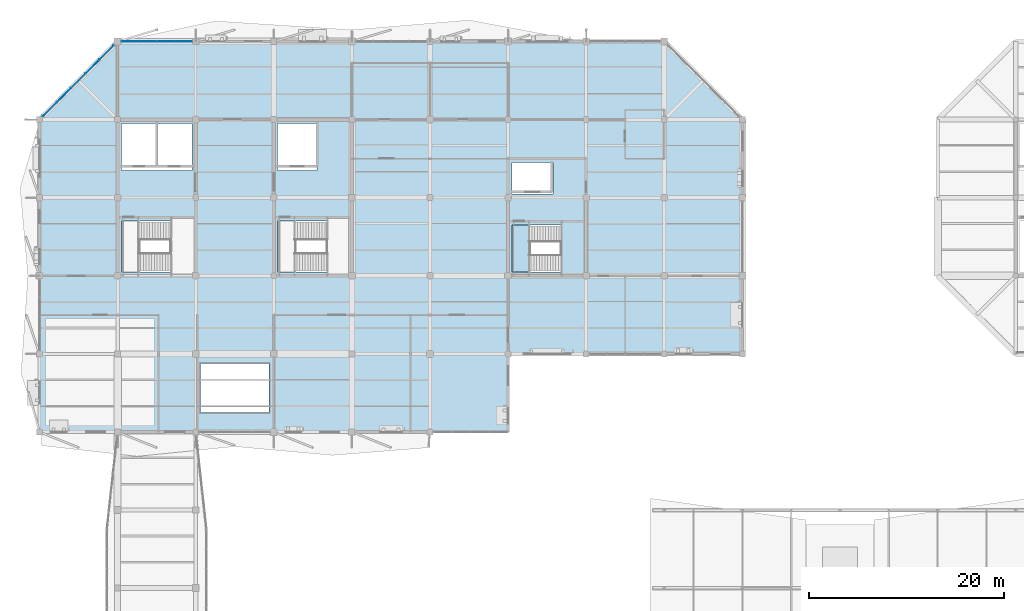
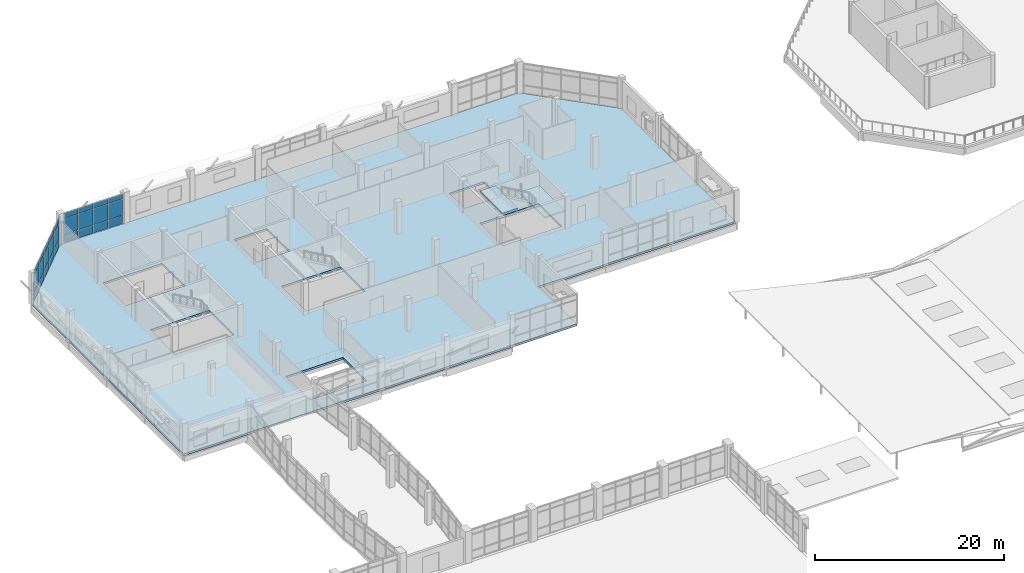
# One storey, part 62 of 84: 27 plates, 3 slabs, 3 elements without a shape of their own.
"""IFC4 building model written with IfcOpenShell, lengths in metres."""

import ifcopenshell
import ifcopenshell.guid

model = None  # the IFC model being written
_history = None  # IfcOwnerHistory: only IFC2X3 demands one
_inside = {}  # id of a spatial element -> (the spatial element, [elements in it])
_under = {}  # id of a project, library or spatial element -> (it, [spatial elements below it])
_declared = {}  # id of a project -> (the project, [libraries it declares])
_typed = {}  # id of a type object -> (the type object, [elements of that type])
_made_of = {}  # id of a material, layer set ... -> (it, [elements and type objects made of it])


def new_model(schema):
    """Start an empty IFC model of exactly this schema.

    Asked for "IFC4X3", IfcOpenShell would pick the latest addendum, in which some entities
    have other attributes; the version numbers below select the first issue.
    IFC2X3 requires an IfcOwnerHistory on every rooted entity: one is made here for all.
    """
    global model, _history
    if schema == "IFC4X3":
        model = ifcopenshell.file(schema_version=(4, 3, 0, 0))
    else:
        model = ifcopenshell.file(schema=schema)
    _inside.clear()
    _under.clear()
    _declared.clear()
    _typed.clear()
    _made_of.clear()
    _history = None
    if model.schema == "IFC2X3":
        org = make("IfcOrganization", Name="unknown")
        user = make(
            "IfcPersonAndOrganization",
            ThePerson=make("IfcPerson", FamilyName="unknown"),
            TheOrganization=org,
        )
        app = make(
            "IfcApplication",
            ApplicationDeveloper=org,
            Version="unknown",
            ApplicationFullName="unknown",
            ApplicationIdentifier="unknown",
        )
        _history = make(
            "IfcOwnerHistory",
            OwningUser=user,
            OwningApplication=app,
            ChangeAction="ADDED",
            CreationDate=0,
        )
    return model


def make(cls, **values):
    """One entity of the class cls with the attributes given. An attribute that is None is left unset."""
    return model.create_entity(
        cls, **{name: value for name, value in values.items() if value is not None}
    )


def rooted(cls, **values):
    """An entity with a GlobalId (a new one), such as an element, a storey or a relation."""
    return make(cls, GlobalId=ifcopenshell.guid.new(), OwnerHistory=_history, **values)


def si_unit(unit_type, name, prefix=None):
    """IfcSIUnit, for example si_unit("LENGTHUNIT", "METRE", prefix="MILLI")."""
    return make("IfcSIUnit", UnitType=unit_type, Prefix=prefix, Name=name)


def assignment(units):
    """IfcUnitAssignment: the units of a project."""
    return None if units is None else make("IfcUnitAssignment", Units=units)


def point(xyz):
    """IfcCartesianPoint."""
    return None if xyz is None else make("IfcCartesianPoint", Coordinates=xyz)


def direction(xyz):
    """IfcDirection."""
    return None if xyz is None else make("IfcDirection", DirectionRatios=xyz)


def frame(location, z_axis=None, x_axis=None):
    """IfcAxis2Placement3D, a coordinate frame: its origin and axes. An axis left out is left unset."""
    return make(
        "IfcAxis2Placement3D",
        Location=point(location),
        Axis=direction(z_axis),
        RefDirection=direction(x_axis),
    )


def frame_2d(location, x_axis=None):
    """IfcAxis2Placement2D, a coordinate frame in the plane: its origin and x axis."""
    return make(
        "IfcAxis2Placement2D", Location=point(location), RefDirection=direction(x_axis)
    )


def origin():
    """The frame at (0, 0, 0) with its axes left unset."""
    return frame((0.0, 0.0, 0.0))


def origin_2d():
    """The frame at (0, 0) in the plane with its x axis left unset."""
    return frame_2d((0.0, 0.0))


def place(relative_to, where):
    """IfcLocalPlacement: puts the frame where relative to a parent placement (None: the world)."""
    return make(
        "IfcLocalPlacement", PlacementRelTo=relative_to, RelativePlacement=where
    )


def context(
    kind, dimensions, precision=None, world=None, true_north=None, identifier=None
):
    """IfcGeometricRepresentationContext, for example the 3D "Model" context."""
    return make(
        "IfcGeometricRepresentationContext",
        ContextIdentifier=identifier,
        ContextType=kind,
        CoordinateSpaceDimension=dimensions,
        Precision=precision,
        WorldCoordinateSystem=world,
        TrueNorth=true_north,
    )


def subcontext(parent, identifier, kind, view, scale=None):
    """IfcGeometricRepresentationSubContext, for example "Body" below "Model"."""
    return make(
        "IfcGeometricRepresentationSubContext",
        ContextIdentifier=identifier,
        ContextType=kind,
        ParentContext=parent,
        TargetScale=scale,
        TargetView=view,
    )


def project(units=None, contexts=None):
    """IfcProject with its units and contexts."""
    return rooted(
        "IfcProject",
        Name="project",
        RepresentationContexts=contexts,
        UnitsInContext=assignment(units),
    )


def spatial(cls, under=None, at=None, **own):
    """A site, building, storey or space (cls), placed at a placement, below another one or the project."""
    s = rooted(cls, ObjectPlacement=at, **own)
    if under is not None:
        _under.setdefault(under.id(), (under, []))[1].append(s)
    return s


def polyline(points):
    """IfcPolyline through the points."""
    return make("IfcPolyline", Points=[point(p) for p in points])


def profile(cls, at=None, kind="AREA", **sizes):
    """A parametric profile (cls). Its sizes go by their IFC names, for example OverallWidth=200.0."""
    return make(cls, ProfileType=kind, Position=at, **sizes)


def rectangle(**sizes):
    """IfcRectangleProfileDef."""
    return profile("IfcRectangleProfileDef", **sizes)


def outline(outer, holes=None, kind="AREA"):
    """IfcArbitraryClosedProfileDef: a profile drawn as a closed curve; with holes, ...WithVoids."""
    if holes is None:
        return make("IfcArbitraryClosedProfileDef", ProfileType=kind, OuterCurve=outer)
    return make(
        "IfcArbitraryProfileDefWithVoids",
        ProfileType=kind,
        OuterCurve=outer,
        InnerCurves=holes,
    )


def extrude(swept, where, along, depth):
    """IfcExtrudedAreaSolid: the profile swept, set in the frame where, extruded along a direction by depth."""
    return make(
        "IfcExtrudedAreaSolid",
        SweptArea=swept,
        Position=where,
        ExtrudedDirection=direction(along),
        Depth=depth,
    )


def shape(context_of_items, identifier, shape_type, items):
    """IfcShapeRepresentation: the items that make up one representation, for example the "Body"."""
    return make(
        "IfcShapeRepresentation",
        ContextOfItems=context_of_items,
        RepresentationIdentifier=identifier,
        RepresentationType=shape_type,
        Items=items,
    )


def material(Name=None, Category=None):
    """IfcMaterial."""
    return make("IfcMaterial", Name=Name, Category=Category)


def layer(
    of_material, thickness, ventilated=None, Name=None, Category=None, Priority=None
):
    """IfcMaterialLayer: one layer of a wall or slab, of a material (None: an air gap)."""
    return make(
        "IfcMaterialLayer",
        Material=of_material,
        LayerThickness=thickness,
        IsVentilated=ventilated,
        Name=Name,
        Category=Category,
        Priority=Priority,
    )


def layer_set(layers, Name=None):
    """IfcMaterialLayerSet."""
    return make("IfcMaterialLayerSet", MaterialLayers=layers, LayerSetName=Name)


def made_of(thing, what):
    """Note that an element or type object is made of a material, layer set ...; save() writes the relation."""
    if what is not None:
        _made_of.setdefault(what.id(), (what, []))[1].append(thing)
    return thing


def type_object(cls, material=None, **own):
    """A type object (cls), such as IfcWallType, which elements share."""
    return made_of(rooted(cls, **own), material)


def element(
    cls,
    number,
    at=None,
    inside=None,
    cuts=None,
    type_object=None,
    material=None,
    context=None,
    identifier="Body",
    shape_type=None,
    held_by="IfcProductDefinitionShape",
    body=None,
    shapes=None,
    **own,
):
    """One element of the class cls, such as IfcWall. Its Tag is "e" and its number.

    at: its placement. inside: the storey or other place that contains it. cuts: it is an
    opening in that element (IfcRelVoidsElement). A single representation is given by context,
    identifier, shape_type and body (its items); several are given by shapes. held_by: the class
    of the entity that holds the representations. save() writes the other relations.
    """
    e = rooted(cls, Tag="e%d" % number, ObjectPlacement=at, **own)
    if body is not None:
        shapes = [shape(context, identifier, shape_type, body)]
    if shapes is not None:
        e.Representation = make(held_by, Representations=shapes)
    if inside is not None:
        _inside.setdefault(inside.id(), (inside, []))[1].append(e)
    if cuts is not None:
        rooted(
            "IfcRelVoidsElement", RelatingBuildingElement=cuts, RelatedOpeningElement=e
        )
    if type_object is not None:
        _typed.setdefault(type_object.id(), (type_object, []))[1].append(e)
    return made_of(e, material)


def aggregate(whole, parts):
    """IfcRelAggregates: a whole, such as a stair, and the parts it consists of."""
    return rooted("IfcRelAggregates", RelatingObject=whole, RelatedObjects=parts)


def save(model, path):
    """Write the relations noted so far, then the file.

    IfcRelAggregates (storeys below a building ...), IfcRelContainedInSpatialStructure (elements
    in a storey), IfcRelDefinesByType, IfcRelAssociatesMaterial and IfcRelDeclares: one each for
    every whole, place, type object, material and project.
    """
    for whole, parts in _under.values():
        aggregate(whole, parts)
    for where, things in _inside.values():
        rooted(
            "IfcRelContainedInSpatialStructure",
            RelatedElements=things,
            RelatingStructure=where,
        )
    for kind, things in _typed.values():
        rooted("IfcRelDefinesByType", RelatedObjects=things, RelatingType=kind)
    for what, things in _made_of.values():
        rooted("IfcRelAssociatesMaterial", RelatedObjects=things, RelatingMaterial=what)
    for by, libraries in _declared.values():
        rooted("IfcRelDeclares", RelatingContext=by, RelatedDefinitions=libraries)
    model.write(path)


model = new_model("IFC4")

# Units and contexts
model_context = context("Model", 3, precision=1e-05, world=origin(), true_north=direction((0.0, 1.0)))
body_context = subcontext(model_context, "Body", "Model", "MODEL_VIEW")
ifc_project = project(units=[si_unit("LENGTHUNIT", "METRE"), si_unit("AREAUNIT", "SQUARE_METRE"), si_unit("VOLUMEUNIT", "CUBIC_METRE"), si_unit("PLANEANGLEUNIT", "RADIAN"), si_unit("MASSUNIT", "GRAM", prefix="KILO")], contexts=[model_context])

# Site, building, storey
site_placement = place(None, origin())
site = spatial("IfcSite", under=ifc_project, at=site_placement, CompositionType="ELEMENT")
building_placement = place(site_placement, origin())
building = spatial("IfcBuilding", under=site, at=building_placement, Name="Tenunan Teduh Sports Hall", CompositionType="ELEMENT")
storey_placement = place(building_placement, frame((0.0, 0.0, 10.800048828125)))
storey = spatial("IfcBuildingStorey", under=building, at=storey_placement, Name="L02", CompositionType="ELEMENT", Elevation=10.800048828125)

# Curtain wall, plates
ifc_material_1 = material(Name="Anodised aluminium", Category="aluminium")
curtain_wall_type = type_object("IfcCurtainWallType", Name="CW-UNIT-2", PredefinedType="NOTDEFINED", material=ifc_material_1)
curtain_wall_1_placement = place(storey_placement, origin())
curtain_wall_1 = element("IfcCurtainWall", 1, at=curtain_wall_1_placement, inside=storey, type_object=curtain_wall_type, Name="CW-CWM-175-L02-218", PredefinedType="NOTDEFINED")
ifc_material_2 = material(Name="Low-E laminated double glazing", Category="glass")
ifc_layer_1 = layer(ifc_material_2, 0.028076171875)
ifc_layer_set_1 = layer_set([ifc_layer_1], Name="Low-E laminated double glazing")
plate_type_1 = type_object("IfcPlateType", Name="CWP-GLZ-28", PredefinedType="CURTAIN_PANEL", material=ifc_layer_set_1)
plate_1_placement = place(storey_placement, frame((7.058349609375, 111.058349609375, 1.13232421875), z_axis=(0.0, 0.0, 1.0), x_axis=(0.707106781187, 0.707106781187, 0.0)))
plate_1 = element("IfcPlate", 2, at=plate_1_placement, type_object=plate_type_1, Name="CW-02 panel 1.2", PredefinedType="CURTAIN_PANEL", context=body_context, shape_type="SweptSolid", body=[
    extrude(rectangle(XDim=1.97216796875, YDim=0.028076171875, at=origin_2d()), origin(), (0.0, 0.0, 1.0), 2.034912109375),
])
plate_2_placement = place(storey_placement, frame((7.058349609375, 111.058349609375, 3.232421875), z_axis=(0.0, 0.0, 1.0), x_axis=(0.707106781187, 0.707106781187, 0.0)))
plate_2 = element("IfcPlate", 3, at=plate_2_placement, type_object=plate_type_1, Name="CW-02 panel 1.3", PredefinedType="CURTAIN_PANEL", context=body_context, shape_type="SweptSolid", body=[
    extrude(rectangle(XDim=1.97216796875, YDim=0.028076171875, at=origin_2d()), origin(), (0.0, 0.0, 1.0), 0.62255859375),
])
plate_3_placement = place(storey_placement, frame((8.51025390625, 112.51025390625, 1.13232421875), z_axis=(0.0, 0.0, 1.0), x_axis=(0.707106781187, 0.707106781187, 0.0)))
plate_3 = element("IfcPlate", 4, at=plate_3_placement, type_object=plate_type_1, Name="CW-02 panel 2.2", PredefinedType="CURTAIN_PANEL", context=body_context, shape_type="SweptSolid", body=[
    extrude(rectangle(XDim=2.004638671875, YDim=0.028076171875, at=origin_2d()), origin(), (0.0, 0.0, 1.0), 2.034912109375),
])
plate_4_placement = place(storey_placement, frame((8.51025390625, 112.51025390625, 3.232421875), z_axis=(0.0, 0.0, 1.0), x_axis=(0.707106781187, 0.707106781187, 0.0)))
plate_4 = element("IfcPlate", 5, at=plate_4_placement, type_object=plate_type_1, Name="CW-02 panel 2.3", PredefinedType="CURTAIN_PANEL", context=body_context, shape_type="SweptSolid", body=[
    extrude(rectangle(XDim=2.004638671875, YDim=0.028076171875, at=origin_2d()), origin(), (0.0, 0.0, 1.0), 0.62255859375),
])
plate_5_placement = place(storey_placement, frame((9.9736328125, 113.9736328125, 1.13232421875), z_axis=(0.0, 0.0, 1.0), x_axis=(0.707106781187, 0.707106781187, 0.0)))
plate_5 = element("IfcPlate", 6, at=plate_5_placement, type_object=plate_type_1, Name="CW-02 panel 3.2", PredefinedType="CURTAIN_PANEL", context=body_context, shape_type="SweptSolid", body=[
    extrude(rectangle(XDim=2.004638671875, YDim=0.028076171875, at=origin_2d()), origin(), (0.0, 0.0, 1.0), 2.034912109375),
])
plate_6_placement = place(storey_placement, frame((9.9736328125, 113.9736328125, 3.232421875), z_axis=(0.0, 0.0, 1.0), x_axis=(0.707106781187, 0.707106781187, 0.0)))
plate_6 = element("IfcPlate", 7, at=plate_6_placement, type_object=plate_type_1, Name="CW-02 panel 3.3", PredefinedType="CURTAIN_PANEL", context=body_context, shape_type="SweptSolid", body=[
    extrude(rectangle(XDim=2.004638671875, YDim=0.028076171875, at=origin_2d()), origin(), (0.0, 0.0, 1.0), 0.62255859375),
])
plate_7_placement = place(storey_placement, frame((11.437255859375, 115.437255859375, 1.13232421875), z_axis=(0.0, 0.0, 1.0), x_axis=(0.707106781187, 0.707106781187, 0.0)))
plate_7 = element("IfcPlate", 8, at=plate_7_placement, type_object=plate_type_1, Name="CW-02 panel 4.2", PredefinedType="CURTAIN_PANEL", context=body_context, shape_type="SweptSolid", body=[
    extrude(rectangle(XDim=2.004638671875, YDim=0.028076171875, at=origin_2d()), origin(), (0.0, 0.0, 1.0), 2.034912109375),
])
plate_8_placement = place(storey_placement, frame((11.437255859375, 115.437255859375, 3.232421875), z_axis=(0.0, 0.0, 1.0), x_axis=(0.707106781187, 0.707106781187, 0.0)))
plate_8 = element("IfcPlate", 9, at=plate_8_placement, type_object=plate_type_1, Name="CW-02 panel 4.3", PredefinedType="CURTAIN_PANEL", context=body_context, shape_type="SweptSolid", body=[
    extrude(rectangle(XDim=2.004638671875, YDim=0.028076171875, at=origin_2d()), origin(), (0.0, 0.0, 1.0), 0.62255859375),
])
plate_9_placement = place(storey_placement, frame((12.88916015625, 116.88916015625, 1.13232421875), z_axis=(0.0, 0.0, 1.0), x_axis=(0.707106781187, 0.707106781187, 0.0)))
plate_9 = element("IfcPlate", 10, at=plate_9_placement, type_object=plate_type_1, Name="CW-02 panel 5.2", PredefinedType="CURTAIN_PANEL", context=body_context, shape_type="SweptSolid", body=[
    extrude(rectangle(XDim=1.97216796875, YDim=0.028076171875, at=origin_2d()), origin(), (0.0, 0.0, 1.0), 2.034912109375),
])
plate_10_placement = place(storey_placement, frame((12.88916015625, 116.88916015625, 3.232421875), z_axis=(0.0, 0.0, 1.0), x_axis=(0.707106781187, 0.707106781187, 0.0)))
plate_10 = element("IfcPlate", 11, at=plate_10_placement, type_object=plate_type_1, Name="CW-02 panel 5.3", PredefinedType="CURTAIN_PANEL", context=body_context, shape_type="SweptSolid", body=[
    extrude(rectangle(XDim=1.97216796875, YDim=0.028076171875, at=origin_2d()), origin(), (0.0, 0.0, 1.0), 0.62255859375),
])

curtain_wall_2_placement = place(storey_placement, origin())
curtain_wall_2 = element("IfcCurtainWall", 12, at=curtain_wall_2_placement, inside=storey, type_object=curtain_wall_type, Name="CW-CWM-150-L02-215", PredefinedType="NOTDEFINED")
ifc_material_3 = material(Name="Solar-control laminated glazing", Category="glass")
ifc_layer_2 = layer(ifc_material_3, 0.031982421875)
ifc_layer_set_2 = layer_set([ifc_layer_2], Name="Solar-control laminated glazing")
plate_type_2 = type_object("IfcPlateType", Name="CWP-GLZ-32", PredefinedType="CURTAIN_PANEL", material=ifc_layer_set_2)
plate_11_placement = place(storey_placement, frame((15.280517578125, 118.0, 1.1298828125), z_axis=(0.0, 0.0, 1.0), x_axis=(1.0, 0.0, 0.0)))
plate_11 = element("IfcPlate", 13, at=plate_11_placement, type_object=plate_type_2, Name="CW-02 panel 1.2", PredefinedType="CURTAIN_PANEL", context=body_context, shape_type="SweptSolid", body=[
    extrude(rectangle(XDim=1.7412109375, YDim=0.031982421875, at=origin_2d()), origin(), (0.0, 0.0, 1.0), 2.0400390625),
])
plate_12_placement = place(storey_placement, frame((15.280517578125, 118.0, 3.22998046875), z_axis=(0.0, 0.0, 1.0), x_axis=(1.0, 0.0, 0.0)))
plate_12 = element("IfcPlate", 14, at=plate_12_placement, type_object=plate_type_2, Name="CW-02 panel 1.3", PredefinedType="CURTAIN_PANEL", context=body_context, shape_type="SweptSolid", body=[
    extrude(rectangle(XDim=1.7412109375, YDim=0.031982421875, at=origin_2d()), origin(), (0.0, 0.0, 1.0), 0.6298828125),
])
plate_13_placement = place(storey_placement, frame((17.096923828125, 118.0, 1.1298828125), z_axis=(0.0, 0.0, 1.0), x_axis=(1.0, 0.0, 0.0)))
plate_13 = element("IfcPlate", 15, at=plate_13_placement, type_object=plate_type_2, Name="CW-02 panel 2.2", PredefinedType="CURTAIN_PANEL", context=body_context, shape_type="SweptSolid", body=[
    extrude(rectangle(XDim=1.771240234375, YDim=0.031982421875, at=origin_2d()), origin(), (0.0, 0.0, 1.0), 2.0400390625),
])
plate_14_placement = place(storey_placement, frame((17.096923828125, 118.0, 3.22998046875), z_axis=(0.0, 0.0, 1.0), x_axis=(1.0, 0.0, 0.0)))
plate_14 = element("IfcPlate", 16, at=plate_14_placement, type_object=plate_type_2, Name="CW-02 panel 2.3", PredefinedType="CURTAIN_PANEL", context=body_context, shape_type="SweptSolid", body=[
    extrude(rectangle(XDim=1.771240234375, YDim=0.031982421875, at=origin_2d()), origin(), (0.0, 0.0, 1.0), 0.6298828125),
])
plate_15_placement = place(storey_placement, frame((18.92822265625, 118.0, 1.1298828125), z_axis=(0.0, 0.0, 1.0), x_axis=(1.0, 0.0, 0.0)))
plate_15 = element("IfcPlate", 17, at=plate_15_placement, type_object=plate_type_2, Name="CW-02 panel 3.2", PredefinedType="CURTAIN_PANEL", context=body_context, shape_type="SweptSolid", body=[
    extrude(rectangle(XDim=1.771240234375, YDim=0.031982421875, at=origin_2d()), origin(), (0.0, 0.0, 1.0), 2.0400390625),
])
plate_16_placement = place(storey_placement, frame((18.92822265625, 118.0, 3.22998046875), z_axis=(0.0, 0.0, 1.0), x_axis=(1.0, 0.0, 0.0)))
plate_16 = element("IfcPlate", 18, at=plate_16_placement, type_object=plate_type_2, Name="CW-02 panel 3.3", PredefinedType="CURTAIN_PANEL", context=body_context, shape_type="SweptSolid", body=[
    extrude(rectangle(XDim=1.771240234375, YDim=0.031982421875, at=origin_2d()), origin(), (0.0, 0.0, 1.0), 0.6298828125),
])
plate_17_placement = place(storey_placement, frame((20.744384765625, 118.0, 1.1298828125), z_axis=(0.0, 0.0, 1.0), x_axis=(1.0, 0.0, 0.0)))
plate_17 = element("IfcPlate", 19, at=plate_17_placement, type_object=plate_type_2, Name="CW-02 panel 4.2", PredefinedType="CURTAIN_PANEL", context=body_context, shape_type="SweptSolid", body=[
    extrude(rectangle(XDim=1.7412109375, YDim=0.031982421875, at=origin_2d()), origin(), (0.0, 0.0, 1.0), 2.0400390625),
])
plate_18_placement = place(storey_placement, frame((20.744384765625, 118.0, 3.22998046875), z_axis=(0.0, 0.0, 1.0), x_axis=(1.0, 0.0, 0.0)))
plate_18 = element("IfcPlate", 20, at=plate_18_placement, type_object=plate_type_2, Name="CW-02 panel 4.3", PredefinedType="CURTAIN_PANEL", context=body_context, shape_type="SweptSolid", body=[
    extrude(rectangle(XDim=1.7412109375, YDim=0.031982421875, at=origin_2d()), origin(), (0.0, 0.0, 1.0), 0.6298828125),
])
ifc_material_4 = material(Name="Insulated aluminium spandrel panel", Category="aluminium")
ifc_layer_3 = layer(ifc_material_4, 0.044921875)
ifc_layer_set_3 = layer_set([ifc_layer_3], Name="Insulated aluminium spandrel panel")
plate_type_3 = type_object("IfcPlateType", Name="CWP-SPN-45", PredefinedType="CURTAIN_PANEL", material=ifc_layer_set_3)
plate_19_placement = place(storey_placement, frame((15.280517578125, 118.0, 0.06005859375), z_axis=(0.0, 0.0, 1.0), x_axis=(1.0, 0.0, 0.0)))
plate_19 = element("IfcPlate", 21, at=plate_19_placement, type_object=plate_type_3, Name="CW-02 panel 1.1", PredefinedType="CURTAIN_PANEL", context=body_context, shape_type="SweptSolid", body=[
    extrude(rectangle(XDim=1.7412109375, YDim=0.031982421875, at=origin_2d()), origin(), (0.0, 0.0, 1.0), 1.010009765625),
])
plate_20_placement = place(storey_placement, frame((17.096923828125, 118.0, 0.06005859375), z_axis=(0.0, 0.0, 1.0), x_axis=(1.0, 0.0, 0.0)))
plate_20 = element("IfcPlate", 22, at=plate_20_placement, type_object=plate_type_3, Name="CW-02 panel 2.1", PredefinedType="CURTAIN_PANEL", context=body_context, shape_type="SweptSolid", body=[
    extrude(rectangle(XDim=1.771240234375, YDim=0.031982421875, at=origin_2d()), origin(), (0.0, 0.0, 1.0), 1.010009765625),
])
plate_21_placement = place(storey_placement, frame((18.92822265625, 118.0, 0.06005859375), z_axis=(0.0, 0.0, 1.0), x_axis=(1.0, 0.0, 0.0)))
plate_21 = element("IfcPlate", 23, at=plate_21_placement, type_object=plate_type_3, Name="CW-02 panel 3.1", PredefinedType="CURTAIN_PANEL", context=body_context, shape_type="SweptSolid", body=[
    extrude(rectangle(XDim=1.771240234375, YDim=0.031982421875, at=origin_2d()), origin(), (0.0, 0.0, 1.0), 1.010009765625),
])
plate_22_placement = place(storey_placement, frame((20.744384765625, 118.0, 0.06005859375), z_axis=(0.0, 0.0, 1.0), x_axis=(1.0, 0.0, 0.0)))
plate_22 = element("IfcPlate", 24, at=plate_22_placement, type_object=plate_type_3, Name="CW-02 panel 4.1", PredefinedType="CURTAIN_PANEL", context=body_context, shape_type="SweptSolid", body=[
    extrude(rectangle(XDim=1.7412109375, YDim=0.031982421875, at=origin_2d()), origin(), (0.0, 0.0, 1.0), 1.010009765625),
])
aggregate(curtain_wall_2, [plate_19, plate_11, plate_12, plate_20, plate_13, plate_14, plate_21, plate_15, plate_16, plate_22, plate_17, plate_18])

# Plate
plate_23_placement = place(storey_placement, frame((7.058349609375, 111.058349609375, 0.06494140625), z_axis=(0.0, 0.0, 1.0), x_axis=(0.707106781187, 0.707106781187, 0.0)))
plate_23 = element("IfcPlate", 25, at=plate_23_placement, type_object=plate_type_3, Name="CW-02 panel 1.1", PredefinedType="CURTAIN_PANEL", context=body_context, shape_type="SweptSolid", body=[
    extrude(rectangle(XDim=1.97216796875, YDim=0.028076171875, at=origin_2d()), origin(), (0.0, 0.0, 1.0), 1.00244140625),
])

plate_24_placement = place(storey_placement, frame((8.51025390625, 112.51025390625, 0.06494140625), z_axis=(0.0, 0.0, 1.0), x_axis=(0.707106781187, 0.707106781187, 0.0)))
plate_24 = element("IfcPlate", 26, at=plate_24_placement, type_object=plate_type_3, Name="CW-02 panel 2.1", PredefinedType="CURTAIN_PANEL", context=body_context, shape_type="SweptSolid", body=[
    extrude(rectangle(XDim=2.004638671875, YDim=0.028076171875, at=origin_2d()), origin(), (0.0, 0.0, 1.0), 1.00244140625),
])

plate_25_placement = place(storey_placement, frame((9.9736328125, 113.9736328125, 0.06494140625), z_axis=(0.0, 0.0, 1.0), x_axis=(0.707106781187, 0.707106781187, 0.0)))
plate_25 = element("IfcPlate", 27, at=plate_25_placement, type_object=plate_type_3, Name="CW-02 panel 3.1", PredefinedType="CURTAIN_PANEL", context=body_context, shape_type="SweptSolid", body=[
    extrude(rectangle(XDim=2.004638671875, YDim=0.028076171875, at=origin_2d()), origin(), (0.0, 0.0, 1.0), 1.00244140625),
])

plate_26_placement = place(storey_placement, frame((11.437255859375, 115.437255859375, 0.06494140625), z_axis=(0.0, 0.0, 1.0), x_axis=(0.707106781187, 0.707106781187, 0.0)))
plate_26 = element("IfcPlate", 28, at=plate_26_placement, type_object=plate_type_3, Name="CW-02 panel 4.1", PredefinedType="CURTAIN_PANEL", context=body_context, shape_type="SweptSolid", body=[
    extrude(rectangle(XDim=2.004638671875, YDim=0.028076171875, at=origin_2d()), origin(), (0.0, 0.0, 1.0), 1.00244140625),
])

plate_27_placement = place(storey_placement, frame((12.88916015625, 116.88916015625, 0.06494140625), z_axis=(0.0, 0.0, 1.0), x_axis=(0.707106781187, 0.707106781187, 0.0)))
plate_27 = element("IfcPlate", 29, at=plate_27_placement, type_object=plate_type_3, Name="CW-02 panel 5.1", PredefinedType="CURTAIN_PANEL", context=body_context, shape_type="SweptSolid", body=[
    extrude(rectangle(XDim=1.97216796875, YDim=0.028076171875, at=origin_2d()), origin(), (0.0, 0.0, 1.0), 1.00244140625),
])

aggregate(curtain_wall_1, [plate_23, plate_1, plate_2, plate_24, plate_3, plate_4, plate_25, plate_5, plate_6, plate_26, plate_7, plate_8, plate_27, plate_9, plate_10])

# Slab
ifc_material_5 = material(Name="Concrete C40/50", Category="concrete")
ifc_layer_4 = layer(ifc_material_5, 0.260009765625)
ifc_layer_set_4 = layer_set([ifc_layer_4], Name="Concrete C40/50")
slab_type_1 = type_object("IfcSlabType", Name="SLB-FLR-260", PredefinedType="FLOOR", material=ifc_layer_set_4)
slab_1_placement = place(storey_placement, frame((0.0, 0.0, -0.260009765625)))
element("IfcSlab", 30, at=slab_1_placement, inside=storey, type_object=slab_type_1, Name="SL-L02-V5W", PredefinedType="FLOOR", context=body_context, shape_type="SweptSolid", body=[
    extrude(outline(polyline([(6.0, 78.0), (54.0, 78.0), (54.0, 86.0), (78.0, 86.0), (78.0, 110.0), (70.0, 118.0), (14.0, 118.0), (6.0, 110.0), (6.0, 78.0)]), holes=[polyline([(14.39990234375, 94.39990234375), (21.60009765625, 94.39990234375), (21.60009765625, 99.60009765625), (14.39990234375, 99.60009765625), (14.39990234375, 94.39990234375)]), polyline([(14.39990234375, 104.800048828125), (21.60009765625, 104.800048828125), (21.60009765625, 109.60009765625), (14.39990234375, 109.60009765625), (14.39990234375, 104.800048828125)]), polyline([(30.39990234375, 94.39990234375), (37.60009765625, 94.39990234375), (37.60009765625, 99.60009765625), (30.39990234375, 99.60009765625), (30.39990234375, 94.39990234375)]), polyline([(30.39990234375, 104.800048828125), (34.39990234375, 104.800048828125), (34.39990234375, 109.60009765625), (30.39990234375, 109.60009765625), (30.39990234375, 104.800048828125)]), polyline([(54.39990234375, 94.39990234375), (61.60009765625, 94.39990234375), (61.60009765625, 99.199951171875), (54.39990234375, 99.199951171875), (54.39990234375, 94.39990234375)]), polyline([(54.39990234375, 102.39990234375), (58.60009765625, 102.39990234375), (58.60009765625, 105.60009765625), (54.39990234375, 105.60009765625), (54.39990234375, 102.39990234375)]), polyline([(22.5, 80.0), (29.5, 80.0), (29.5, 85.0), (22.5, 85.0), (22.5, 80.0)])]), origin(), (0.0, 0.0, 1.0), 0.260009765625),
])

# Stair, slabs
ifc_material_6 = material(Name="Precast concrete C40/50", Category="concrete")
stair_type = type_object("IfcStairType", Name="STR-CORE-42", PredefinedType="HALF_TURN_STAIR", material=ifc_material_6)
stair_placement = place(storey_placement, origin())
stair = element("IfcStair", 31, at=stair_placement, inside=storey, type_object=stair_type, Name="STR-W3-L02", PredefinedType="HALF_TURN_STAIR")
ifc_material_7 = material(Name="Precast concrete C40/50", Category="concrete")
ifc_layer_5 = layer(ifc_material_7, 0.199951171875)
ifc_layer_set_5 = layer_set([ifc_layer_5], Name="Precast concrete C40/50")
slab_type_2 = type_object("IfcSlabType", Name="SLB-LND-200", PredefinedType="LANDING", material=ifc_layer_set_5)
slab_2_placement = place(storey_placement, frame((0.0, 0.0, 1.89990234375)))
slab_2 = element("IfcSlab", 32, at=slab_2_placement, type_object=slab_type_2, Name="ST-14 landing 1", PredefinedType="LANDING", context=body_context, shape_type="SweptSolid", body=[
    extrude(outline(polyline([(59.39990234375, 94.139892578125), (61.860107421875, 94.139892578125), (61.860107421875, 99.5), (59.39990234375, 99.5), (59.39990234375, 94.139892578125)])), origin(), (0.0, 0.0, 1.0), 0.199951171875),
])
slab_3_placement = place(storey_placement, frame((0.0, 0.0, 4.0)))
slab_3 = element("IfcSlab", 33, at=slab_3_placement, type_object=slab_type_2, Name="ST-14 landing 2", PredefinedType="LANDING", context=body_context, shape_type="SweptSolid", body=[
    extrude(outline(polyline([(54.39990234375, 94.39990234375), (56.280029296875, 94.39990234375), (56.280029296875, 99.199951171875), (54.39990234375, 99.199951171875), (54.39990234375, 94.39990234375)])), origin(), (0.0, 0.0, 1.0), 0.199951171875),
])
aggregate(stair, [slab_2, slab_3])

save(model, "model.ifc")
